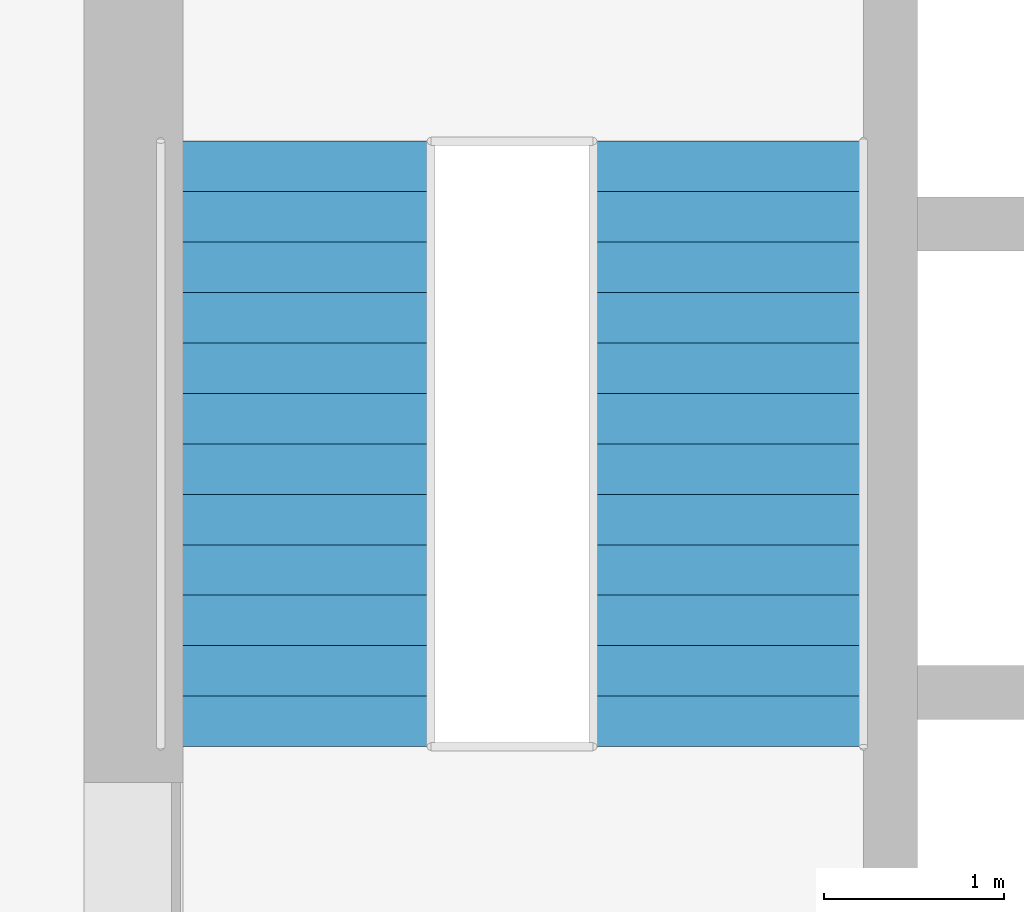
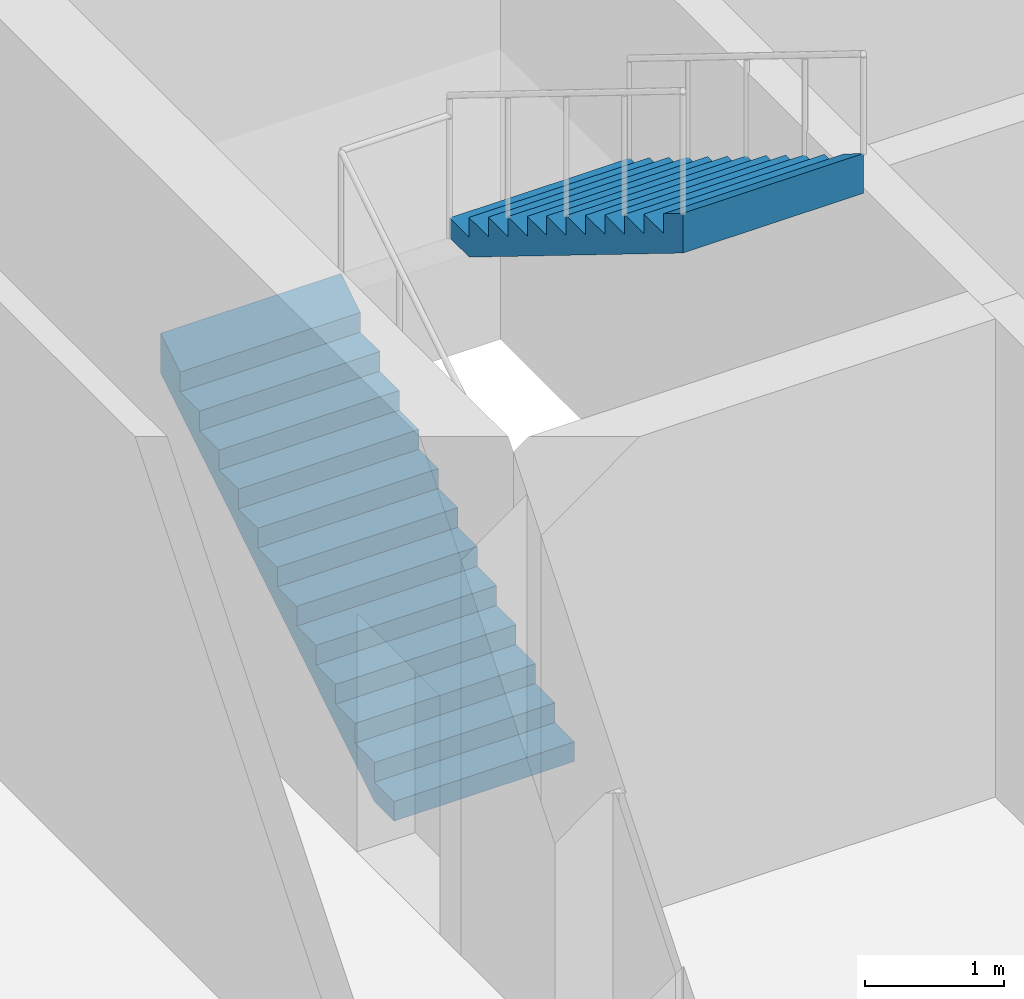
# One storey, part 10 of 13: 2 stair flights, 1 element without a shape of its own.
"""IFC4 building model written with IfcOpenShell, lengths in metres."""

import ifcopenshell
import ifcopenshell.guid

model = None  # the IFC model being written
_history = None  # IfcOwnerHistory: only IFC2X3 demands one
_inside = {}  # id of a spatial element -> (the spatial element, [elements in it])
_under = {}  # id of a project, library or spatial element -> (it, [spatial elements below it])
_declared = {}  # id of a project -> (the project, [libraries it declares])
_typed = {}  # id of a type object -> (the type object, [elements of that type])
_made_of = {}  # id of a material, layer set ... -> (it, [elements and type objects made of it])


def new_model(schema):
    """Start an empty IFC model of exactly this schema.

    Asked for "IFC4X3", IfcOpenShell would pick the latest addendum, in which some entities
    have other attributes; the version numbers below select the first issue.
    IFC2X3 requires an IfcOwnerHistory on every rooted entity: one is made here for all.
    """
    global model, _history
    if schema == "IFC4X3":
        model = ifcopenshell.file(schema_version=(4, 3, 0, 0))
    else:
        model = ifcopenshell.file(schema=schema)
    _inside.clear()
    _under.clear()
    _declared.clear()
    _typed.clear()
    _made_of.clear()
    _history = None
    if model.schema == "IFC2X3":
        org = make("IfcOrganization", Name="unknown")
        user = make(
            "IfcPersonAndOrganization",
            ThePerson=make("IfcPerson", FamilyName="unknown"),
            TheOrganization=org,
        )
        app = make(
            "IfcApplication",
            ApplicationDeveloper=org,
            Version="unknown",
            ApplicationFullName="unknown",
            ApplicationIdentifier="unknown",
        )
        _history = make(
            "IfcOwnerHistory",
            OwningUser=user,
            OwningApplication=app,
            ChangeAction="ADDED",
            CreationDate=0,
        )
    return model


def make(cls, **values):
    """One entity of the class cls with the attributes given. An attribute that is None is left unset."""
    return model.create_entity(
        cls, **{name: value for name, value in values.items() if value is not None}
    )


def rooted(cls, **values):
    """An entity with a GlobalId (a new one), such as an element, a storey or a relation."""
    return make(cls, GlobalId=ifcopenshell.guid.new(), OwnerHistory=_history, **values)


def si_unit(unit_type, name, prefix=None):
    """IfcSIUnit, for example si_unit("LENGTHUNIT", "METRE", prefix="MILLI")."""
    return make("IfcSIUnit", UnitType=unit_type, Prefix=prefix, Name=name)


def assignment(units):
    """IfcUnitAssignment: the units of a project."""
    return None if units is None else make("IfcUnitAssignment", Units=units)


def point(xyz):
    """IfcCartesianPoint."""
    return None if xyz is None else make("IfcCartesianPoint", Coordinates=xyz)


def direction(xyz):
    """IfcDirection."""
    return None if xyz is None else make("IfcDirection", DirectionRatios=xyz)


def frame(location, z_axis=None, x_axis=None):
    """IfcAxis2Placement3D, a coordinate frame: its origin and axes. An axis left out is left unset."""
    return make(
        "IfcAxis2Placement3D",
        Location=point(location),
        Axis=direction(z_axis),
        RefDirection=direction(x_axis),
    )


def origin():
    """The frame at (0, 0, 0) with its axes left unset."""
    return frame((0.0, 0.0, 0.0))


def place(relative_to, where):
    """IfcLocalPlacement: puts the frame where relative to a parent placement (None: the world)."""
    return make(
        "IfcLocalPlacement", PlacementRelTo=relative_to, RelativePlacement=where
    )


def context(
    kind, dimensions, precision=None, world=None, true_north=None, identifier=None
):
    """IfcGeometricRepresentationContext, for example the 3D "Model" context."""
    return make(
        "IfcGeometricRepresentationContext",
        ContextIdentifier=identifier,
        ContextType=kind,
        CoordinateSpaceDimension=dimensions,
        Precision=precision,
        WorldCoordinateSystem=world,
        TrueNorth=true_north,
    )


def subcontext(parent, identifier, kind, view, scale=None):
    """IfcGeometricRepresentationSubContext, for example "Body" below "Model"."""
    return make(
        "IfcGeometricRepresentationSubContext",
        ContextIdentifier=identifier,
        ContextType=kind,
        ParentContext=parent,
        TargetScale=scale,
        TargetView=view,
    )


def project(units=None, contexts=None):
    """IfcProject with its units and contexts."""
    return rooted(
        "IfcProject",
        Name="project",
        RepresentationContexts=contexts,
        UnitsInContext=assignment(units),
    )


def spatial(cls, under=None, at=None, **own):
    """A site, building, storey or space (cls), placed at a placement, below another one or the project."""
    s = rooted(cls, ObjectPlacement=at, **own)
    if under is not None:
        _under.setdefault(under.id(), (under, []))[1].append(s)
    return s


def point_list(points):
    """IfcCartesianPointList2D or 3D."""
    cls = (
        "IfcCartesianPointList2D" if len(points[0]) == 2 else "IfcCartesianPointList3D"
    )
    return make(cls, CoordList=points)


def triangles(points, corners, closed=None, point_numbers=None):
    """IfcTriangulatedFaceSet: each triangle names its three corners, points numbered from 1."""
    return make(
        "IfcTriangulatedFaceSet",
        Coordinates=point_list(points),
        Closed=closed,
        CoordIndex=corners,
        PnIndex=point_numbers,
    )


def shape(context_of_items, identifier, shape_type, items):
    """IfcShapeRepresentation: the items that make up one representation, for example the "Body"."""
    return make(
        "IfcShapeRepresentation",
        ContextOfItems=context_of_items,
        RepresentationIdentifier=identifier,
        RepresentationType=shape_type,
        Items=items,
    )


def material(Name=None, Category=None):
    """IfcMaterial."""
    return make("IfcMaterial", Name=Name, Category=Category)


def made_of(thing, what):
    """Note that an element or type object is made of a material, layer set ...; save() writes the relation."""
    if what is not None:
        _made_of.setdefault(what.id(), (what, []))[1].append(thing)
    return thing


def type_object(cls, material=None, **own):
    """A type object (cls), such as IfcWallType, which elements share."""
    return made_of(rooted(cls, **own), material)


def element(
    cls,
    number,
    at=None,
    inside=None,
    cuts=None,
    type_object=None,
    material=None,
    context=None,
    identifier="Body",
    shape_type=None,
    held_by="IfcProductDefinitionShape",
    body=None,
    shapes=None,
    **own,
):
    """One element of the class cls, such as IfcWall. Its Tag is "e" and its number.

    at: its placement. inside: the storey or other place that contains it. cuts: it is an
    opening in that element (IfcRelVoidsElement). A single representation is given by context,
    identifier, shape_type and body (its items); several are given by shapes. held_by: the class
    of the entity that holds the representations. save() writes the other relations.
    """
    e = rooted(cls, Tag="e%d" % number, ObjectPlacement=at, **own)
    if body is not None:
        shapes = [shape(context, identifier, shape_type, body)]
    if shapes is not None:
        e.Representation = make(held_by, Representations=shapes)
    if inside is not None:
        _inside.setdefault(inside.id(), (inside, []))[1].append(e)
    if cuts is not None:
        rooted(
            "IfcRelVoidsElement", RelatingBuildingElement=cuts, RelatedOpeningElement=e
        )
    if type_object is not None:
        _typed.setdefault(type_object.id(), (type_object, []))[1].append(e)
    return made_of(e, material)


def aggregate(whole, parts):
    """IfcRelAggregates: a whole, such as a stair, and the parts it consists of."""
    return rooted("IfcRelAggregates", RelatingObject=whole, RelatedObjects=parts)


def save(model, path):
    """Write the relations noted so far, then the file.

    IfcRelAggregates (storeys below a building ...), IfcRelContainedInSpatialStructure (elements
    in a storey), IfcRelDefinesByType, IfcRelAssociatesMaterial and IfcRelDeclares: one each for
    every whole, place, type object, material and project.
    """
    for whole, parts in _under.values():
        aggregate(whole, parts)
    for where, things in _inside.values():
        rooted(
            "IfcRelContainedInSpatialStructure",
            RelatedElements=things,
            RelatingStructure=where,
        )
    for kind, things in _typed.values():
        rooted("IfcRelDefinesByType", RelatedObjects=things, RelatingType=kind)
    for what, things in _made_of.values():
        rooted("IfcRelAssociatesMaterial", RelatedObjects=things, RelatingMaterial=what)
    for by, libraries in _declared.values():
        rooted("IfcRelDeclares", RelatingContext=by, RelatedDefinitions=libraries)
    model.write(path)


model = new_model("IFC4")

# Units and contexts
model_context = context("Model", 3, precision=1e-05, world=origin(), true_north=direction((0.0, 1.0)))
body_context = subcontext(model_context, "Body", "Model", "MODEL_VIEW")
ifc_project = project(units=[si_unit("LENGTHUNIT", "METRE"), si_unit("AREAUNIT", "SQUARE_METRE"), si_unit("VOLUMEUNIT", "CUBIC_METRE"), si_unit("PLANEANGLEUNIT", "RADIAN"), si_unit("MASSUNIT", "GRAM", prefix="KILO")], contexts=[model_context])

# Site, building, storey
site_placement = place(None, origin())
site = spatial("IfcSite", under=ifc_project, at=site_placement, CompositionType="ELEMENT")
building_placement = place(site_placement, origin())
building = spatial("IfcBuilding", under=site, at=building_placement, Name="Ludao Terraces", CompositionType="ELEMENT")
storey_placement = place(building_placement, frame((0.0, 0.0, 192.800048828125)))
storey = spatial("IfcBuildingStorey", under=building, at=storey_placement, Name="L52", CompositionType="ELEMENT", Elevation=192.800048828125)

# Stair, stair flights
ifc_material = material(Name="Concrete C40", Category="concrete")
stair_type = type_object("IfcStairType", Name="INT Stair", PredefinedType="HALF_TURN_STAIR", material=ifc_material)
stair_placement = place(storey_placement, origin())
stair = element("IfcStair", 1, at=stair_placement, inside=storey, type_object=stair_type, Name="EXIT STAIR 1", PredefinedType="HALF_TURN_STAIR")
stair_flight_type = type_object("IfcStairFlightType", Name="INT Stair flight", PredefinedType="STRAIGHT", material=ifc_material)
stair_flight_1_placement = place(storey_placement, frame((76.14990234375, 79.0, 0.0), z_axis=(0.0, 0.0, 1.0), x_axis=(0.0, 1.0, 0.0)))
stair_flight_1 = element("IfcStairFlight", 2, at=stair_flight_1_placement, type_object=stair_flight_type, Name="ST1 flight 1", NumberOfRisers=13, NumberOfTreads=12, PredefinedType="STRAIGHT", RiserHeight=0.173077, TreadLength=0.28, context=body_context, shape_type="Tessellation", body=[
    triangles([(0.0, -0.75, 0.0), (0.0, -0.5, 0.0), (0.0, -0.25, 0.0), (0.0, 0.0, 0.0), (0.0, 0.25, 0.0), (0.0, 0.5, 0.0), (0.0, 0.75, 0.0), (0.0, -0.75, 0.173095703125), (0.0, -0.5, 0.173095703125), (0.0, -0.25, 0.173095703125), (0.0, 0.0, 0.173095703125), (0.0, 0.25, 0.173095703125), (0.0, 0.5, 0.173095703125), (0.0, 0.75, 0.173095703125), (0.280029296875, -0.75, 0.173095703125), (0.280029296875, -0.5, 0.173095703125), (0.280029296875, -0.25, 0.173095703125), (0.280029296875, 0.0, 0.173095703125), (0.280029296875, 0.25, 0.173095703125), (0.280029296875, 0.5, 0.173095703125), (0.280029296875, 0.75, 0.173095703125), (0.280029296875, -0.75, 0.34619140625), (0.280029296875, -0.5, 0.34619140625), (0.280029296875, -0.25, 0.34619140625), (0.280029296875, 0.0, 0.34619140625), (0.280029296875, 0.25, 0.34619140625), (0.280029296875, 0.5, 0.34619140625), (0.280029296875, 0.75, 0.34619140625), (0.56005859375, -0.75, 0.34619140625), (0.56005859375, -0.5, 0.34619140625), (0.56005859375, -0.25, 0.34619140625), (0.56005859375, 0.0, 0.34619140625), (0.56005859375, 0.25, 0.34619140625), (0.56005859375, 0.5, 0.34619140625), (0.56005859375, 0.75, 0.34619140625), (0.56005859375, -0.75, 0.519287109375), (0.56005859375, -0.5, 0.519287109375), (0.56005859375, -0.25, 0.519287109375), (0.56005859375, 0.0, 0.519287109375), (0.56005859375, 0.25, 0.519287109375), (0.56005859375, 0.5, 0.519287109375), (0.56005859375, 0.75, 0.519287109375), (0.840087890625, -0.75, 0.519287109375), (0.840087890625, -0.5, 0.519287109375), (0.840087890625, -0.25, 0.519287109375), (0.840087890625, 0.0, 0.519287109375), (0.840087890625, 0.25, 0.519287109375), (0.840087890625, 0.5, 0.519287109375), (0.840087890625, 0.75, 0.519287109375), (0.840087890625, -0.75, 0.6923828125), (0.840087890625, -0.5, 0.6923828125), (0.840087890625, -0.25, 0.6923828125), (0.840087890625, 0.0, 0.6923828125), (0.840087890625, 0.25, 0.6923828125), (0.840087890625, 0.5, 0.6923828125), (0.840087890625, 0.75, 0.6923828125), (1.1201171875, -0.75, 0.6923828125), (1.1201171875, -0.5, 0.6923828125), (1.1201171875, -0.25, 0.6923828125), (1.1201171875, 0.0, 0.6923828125), (1.1201171875, 0.25, 0.6923828125), (1.1201171875, 0.5, 0.6923828125), (1.1201171875, 0.75, 0.6923828125), (1.1201171875, -0.75, 0.865478515625), (1.1201171875, -0.5, 0.865478515625), (1.1201171875, -0.25, 0.865478515625), (1.1201171875, 0.0, 0.865478515625), (1.1201171875, 0.25, 0.865478515625), (1.1201171875, 0.5, 0.865478515625), (1.1201171875, 0.75, 0.865478515625), (1.39990234375, -0.75, 0.865478515625), (1.39990234375, -0.5, 0.865478515625), (1.39990234375, -0.25, 0.865478515625), (1.39990234375, 0.0, 0.865478515625), (1.39990234375, 0.25, 0.865478515625), (1.39990234375, 0.5, 0.865478515625), (1.39990234375, 0.75, 0.865478515625), (1.39990234375, -0.75, 1.03857421875), (1.39990234375, -0.5, 1.03857421875), (1.39990234375, -0.25, 1.03857421875), (1.39990234375, 0.0, 1.03857421875), (1.39990234375, 0.25, 1.03857421875), (1.39990234375, 0.5, 1.03857421875), (1.39990234375, 0.75, 1.03857421875), (1.679931640625, -0.75, 1.03857421875), (1.679931640625, -0.5, 1.03857421875), (1.679931640625, -0.25, 1.03857421875), (1.679931640625, 0.0, 1.03857421875), (1.679931640625, 0.25, 1.03857421875), (1.679931640625, 0.5, 1.03857421875), (1.679931640625, 0.75, 1.03857421875), (1.679931640625, -0.75, 1.21142578125), (1.679931640625, -0.5, 1.21142578125), (1.679931640625, -0.25, 1.21142578125), (1.679931640625, 0.0, 1.21142578125), (1.679931640625, 0.25, 1.21142578125), (1.679931640625, 0.5, 1.21142578125), (1.679931640625, 0.75, 1.21142578125), (1.9599609375, -0.75, 1.21142578125), (1.9599609375, -0.5, 1.21142578125), (1.9599609375, -0.25, 1.21142578125), (1.9599609375, 0.0, 1.21142578125), (1.9599609375, 0.25, 1.21142578125), (1.9599609375, 0.5, 1.21142578125), (1.9599609375, 0.75, 1.21142578125), (1.9599609375, -0.75, 1.384521484375), (1.9599609375, -0.5, 1.384521484375), (1.9599609375, -0.25, 1.384521484375), (1.9599609375, 0.0, 1.384521484375), (1.9599609375, 0.25, 1.384521484375), (1.9599609375, 0.5, 1.384521484375), (1.9599609375, 0.75, 1.384521484375), (2.239990234375, -0.75, 1.384521484375), (2.239990234375, -0.5, 1.384521484375), (2.239990234375, -0.25, 1.384521484375), (2.239990234375, 0.0, 1.384521484375), (2.239990234375, 0.25, 1.384521484375), (2.239990234375, 0.5, 1.384521484375), (2.239990234375, 0.75, 1.384521484375), (2.239990234375, -0.75, 1.5576171875), (2.239990234375, -0.5, 1.5576171875), (2.239990234375, -0.25, 1.5576171875), (2.239990234375, 0.0, 1.5576171875), (2.239990234375, 0.25, 1.5576171875), (2.239990234375, 0.5, 1.5576171875), (2.239990234375, 0.75, 1.5576171875), (2.52001953125, -0.75, 1.5576171875), (2.52001953125, -0.5, 1.5576171875), (2.52001953125, -0.25, 1.5576171875), (2.52001953125, 0.0, 1.5576171875), (2.52001953125, 0.25, 1.5576171875), (2.52001953125, 0.5, 1.5576171875), (2.52001953125, 0.75, 1.5576171875), (2.52001953125, -0.75, 1.730712890625), (2.52001953125, -0.5, 1.730712890625), (2.52001953125, -0.25, 1.730712890625), (2.52001953125, 0.0, 1.730712890625), (2.52001953125, 0.25, 1.730712890625), (2.52001953125, 0.5, 1.730712890625), (2.52001953125, 0.75, 1.730712890625), (2.800048828125, -0.75, 1.730712890625), (2.800048828125, -0.5, 1.730712890625), (2.800048828125, -0.25, 1.730712890625), (2.800048828125, 0.0, 1.730712890625), (2.800048828125, 0.25, 1.730712890625), (2.800048828125, 0.5, 1.730712890625), (2.800048828125, 0.75, 1.730712890625), (2.800048828125, -0.75, 1.90380859375), (2.800048828125, -0.5, 1.90380859375), (2.800048828125, -0.25, 1.90380859375), (2.800048828125, 0.0, 1.90380859375), (2.800048828125, 0.25, 1.90380859375), (2.800048828125, 0.5, 1.90380859375), (2.800048828125, 0.75, 1.90380859375), (3.080078125, -0.75, 1.90380859375), (3.080078125, -0.5, 1.90380859375), (3.080078125, -0.25, 1.90380859375), (3.080078125, 0.0, 1.90380859375), (3.080078125, 0.25, 1.90380859375), (3.080078125, 0.5, 1.90380859375), (3.080078125, 0.75, 1.90380859375), (3.080078125, -0.75, 2.076904296875), (3.080078125, -0.5, 2.076904296875), (3.080078125, -0.25, 2.076904296875), (3.080078125, 0.0, 2.076904296875), (3.080078125, 0.25, 2.076904296875), (3.080078125, 0.5, 2.076904296875), (3.080078125, 0.75, 2.076904296875), (3.360107421875, -0.75, 2.25), (3.360107421875, -0.5, 2.25), (3.360107421875, -0.25, 2.25), (3.360107421875, 0.0, 2.25), (3.360107421875, 0.25, 2.25), (3.360107421875, 0.5, 2.25), (3.360107421875, 0.75, 2.25), (3.360107421875, -0.75, 1.900634765625), (3.360107421875, -0.5, 1.900634765625), (3.360107421875, -0.25, 1.900634765625), (3.360107421875, 0.0, 1.900634765625), (3.360107421875, 0.25, 1.900634765625), (3.360107421875, 0.5, 1.900634765625), (3.360107421875, 0.75, 1.900634765625), (0.28515625, -0.75, 0.0), (0.28515625, -0.5, 0.0), (0.28515625, -0.25, 0.0), (0.28515625, 0.0, 0.0), (0.28515625, 0.25, 0.0), (0.28515625, 0.5, 0.0), (0.28515625, 0.75, 0.0)], [[1, 183, 176], [7, 182, 189], [176, 169, 162], [182, 168, 175], [176, 162, 155], [182, 161, 168], [176, 155, 148], [182, 154, 161], [176, 148, 141], [182, 147, 154], [141, 134, 127], [147, 133, 140], [176, 141, 127], [182, 133, 147], [127, 120, 113], [133, 119, 126], [176, 127, 113], [182, 119, 133], [113, 106, 99], [119, 105, 112], [176, 113, 99], [182, 105, 119], [1, 176, 99], [7, 105, 182], [99, 92, 85], [105, 91, 98], [85, 78, 71], [91, 77, 84], [99, 85, 71], [105, 77, 91], [71, 64, 57], [77, 63, 70], [99, 71, 57], [105, 63, 77], [57, 50, 43], [63, 49, 56], [99, 57, 43], [105, 49, 63], [43, 36, 29], [49, 35, 42], [99, 43, 29], [105, 35, 49], [29, 22, 15], [35, 21, 28], [99, 29, 15], [105, 21, 35], [1, 99, 15], [7, 21, 105], [15, 8, 1], [21, 7, 14], [1, 9, 2], [1, 8, 9], [2, 10, 3], [2, 9, 10], [3, 11, 4], [3, 10, 11], [4, 12, 5], [4, 11, 12], [5, 13, 6], [5, 12, 13], [6, 14, 7], [6, 13, 14], [8, 16, 9], [8, 15, 16], [9, 17, 10], [9, 16, 17], [10, 18, 11], [10, 17, 18], [11, 19, 12], [11, 18, 19], [12, 20, 13], [12, 19, 20], [13, 21, 14], [13, 20, 21], [15, 23, 16], [15, 22, 23], [16, 24, 17], [16, 23, 24], [17, 25, 18], [17, 24, 25], [18, 26, 19], [18, 25, 26], [19, 27, 20], [19, 26, 27], [20, 28, 21], [20, 27, 28], [22, 30, 23], [22, 29, 30], [23, 31, 24], [23, 30, 31], [24, 32, 25], [24, 31, 32], [25, 33, 26], [25, 32, 33], [26, 34, 27], [26, 33, 34], [27, 35, 28], [27, 34, 35], [29, 37, 30], [29, 36, 37], [30, 38, 31], [30, 37, 38], [31, 39, 32], [31, 38, 39], [32, 40, 33], [32, 39, 40], [33, 41, 34], [33, 40, 41], [34, 42, 35], [34, 41, 42], [36, 44, 37], [36, 43, 44], [37, 45, 38], [37, 44, 45], [38, 46, 39], [38, 45, 46], [39, 47, 40], [39, 46, 47], [40, 48, 41], [40, 47, 48], [41, 49, 42], [41, 48, 49], [43, 51, 44], [43, 50, 51], [44, 52, 45], [44, 51, 52], [45, 53, 46], [45, 52, 53], [46, 54, 47], [46, 53, 54], [47, 55, 48], [47, 54, 55], [48, 56, 49], [48, 55, 56], [50, 58, 51], [50, 57, 58], [51, 59, 52], [51, 58, 59], [52, 60, 53], [52, 59, 60], [53, 61, 54], [53, 60, 61], [54, 62, 55], [54, 61, 62], [55, 63, 56], [55, 62, 63], [57, 65, 58], [57, 64, 65], [58, 66, 59], [58, 65, 66], [59, 67, 60], [59, 66, 67], [60, 68, 61], [60, 67, 68], [61, 69, 62], [61, 68, 69], [62, 70, 63], [62, 69, 70], [64, 72, 65], [64, 71, 72], [65, 73, 66], [65, 72, 73], [66, 74, 67], [66, 73, 74], [67, 75, 68], [67, 74, 75], [68, 76, 69], [68, 75, 76], [69, 77, 70], [69, 76, 77], [71, 79, 72], [71, 78, 79], [72, 80, 73], [72, 79, 80], [73, 81, 74], [73, 80, 81], [74, 82, 75], [74, 81, 82], [75, 83, 76], [75, 82, 83], [76, 84, 77], [76, 83, 84], [78, 86, 79], [78, 85, 86], [79, 87, 80], [79, 86, 87], [80, 88, 81], [80, 87, 88], [81, 89, 82], [81, 88, 89], [82, 90, 83], [82, 89, 90], [83, 91, 84], [83, 90, 91], [85, 93, 86], [85, 92, 93], [86, 94, 87], [86, 93, 94], [87, 95, 88], [87, 94, 95], [88, 96, 89], [88, 95, 96], [89, 97, 90], [89, 96, 97], [90, 98, 91], [90, 97, 98], [92, 100, 93], [92, 99, 100], [93, 101, 94], [93, 100, 101], [94, 102, 95], [94, 101, 102], [95, 103, 96], [95, 102, 103], [96, 104, 97], [96, 103, 104], [97, 105, 98], [97, 104, 105], [99, 107, 100], [99, 106, 107], [100, 108, 101], [100, 107, 108], [101, 109, 102], [101, 108, 109], [102, 110, 103], [102, 109, 110], [103, 111, 104], [103, 110, 111], [104, 112, 105], [104, 111, 112], [106, 114, 107], [106, 113, 114], [107, 115, 108], [107, 114, 115], [108, 116, 109], [108, 115, 116], [109, 117, 110], [109, 116, 117], [110, 118, 111], [110, 117, 118], [111, 119, 112], [111, 118, 119], [113, 121, 114], [113, 120, 121], [114, 122, 115], [114, 121, 122], [115, 123, 116], [115, 122, 123], [116, 124, 117], [116, 123, 124], [117, 125, 118], [117, 124, 125], [118, 126, 119], [118, 125, 126], [120, 128, 121], [120, 127, 128], [121, 129, 122], [121, 128, 129], [122, 130, 123], [122, 129, 130], [123, 131, 124], [123, 130, 131], [124, 132, 125], [124, 131, 132], [125, 133, 126], [125, 132, 133], [127, 135, 128], [127, 134, 135], [128, 136, 129], [128, 135, 136], [129, 137, 130], [129, 136, 137], [130, 138, 131], [130, 137, 138], [131, 139, 132], [131, 138, 139], [132, 140, 133], [132, 139, 140], [134, 142, 135], [134, 141, 142], [135, 143, 136], [135, 142, 143], [136, 144, 137], [136, 143, 144], [137, 145, 138], [137, 144, 145], [138, 146, 139], [138, 145, 146], [139, 147, 140], [139, 146, 147], [141, 149, 142], [141, 148, 149], [142, 150, 143], [142, 149, 150], [143, 151, 144], [143, 150, 151], [144, 152, 145], [144, 151, 152], [145, 153, 146], [145, 152, 153], [146, 154, 147], [146, 153, 154], [148, 156, 149], [148, 155, 156], [149, 157, 150], [149, 156, 157], [150, 158, 151], [150, 157, 158], [151, 159, 152], [151, 158, 159], [152, 160, 153], [152, 159, 160], [153, 161, 154], [153, 160, 161], [155, 163, 156], [155, 162, 163], [156, 164, 157], [156, 163, 164], [157, 165, 158], [157, 164, 165], [158, 166, 159], [158, 165, 166], [159, 167, 160], [159, 166, 167], [160, 168, 161], [160, 167, 168], [162, 170, 163], [162, 169, 170], [163, 171, 164], [163, 170, 171], [164, 172, 165], [164, 171, 172], [165, 173, 166], [165, 172, 173], [166, 174, 167], [166, 173, 174], [167, 175, 168], [167, 174, 175], [169, 177, 170], [169, 176, 177], [170, 178, 171], [170, 177, 178], [171, 179, 172], [171, 178, 179], [172, 180, 173], [172, 179, 180], [173, 181, 174], [173, 180, 181], [174, 182, 175], [174, 181, 182], [176, 184, 177], [176, 183, 184], [177, 185, 178], [177, 184, 185], [178, 186, 179], [178, 185, 186], [179, 187, 180], [179, 186, 187], [180, 188, 181], [180, 187, 188], [181, 189, 182], [181, 188, 189], [183, 2, 184], [183, 1, 2], [184, 3, 185], [184, 2, 3], [185, 4, 186], [185, 3, 4], [186, 5, 187], [186, 4, 5], [187, 6, 188], [187, 5, 6], [188, 7, 189], [188, 6, 7]], closed=True),
])
stair_flight_2_placement = place(storey_placement, frame((78.550048828125, 82.360107421875, 2.25), z_axis=(0.0, 0.0, 1.0), x_axis=(0.0, -1.0, 0.0)))
stair_flight_2 = element("IfcStairFlight", 3, at=stair_flight_2_placement, type_object=stair_flight_type, Name="ST1 flight 2", NumberOfRisers=13, NumberOfTreads=12, PredefinedType="STRAIGHT", RiserHeight=0.173077, TreadLength=0.28, context=body_context, shape_type="Tessellation", body=[
    triangles([(0.0, -0.75, 0.0), (0.0, -0.5, 0.0), (0.0, -0.25, 0.0), (0.0, 0.0, 0.0), (0.0, 0.25, 0.0), (0.0, 0.5, 0.0), (0.0, 0.75, 0.0), (0.0, -0.75, 0.173095703125), (0.0, -0.5, 0.173095703125), (0.0, -0.25, 0.173095703125), (0.0, 0.0, 0.173095703125), (0.0, 0.25, 0.173095703125), (0.0, 0.5, 0.173095703125), (0.0, 0.75, 0.173095703125), (0.280029296875, -0.75, 0.173095703125), (0.280029296875, -0.5, 0.173095703125), (0.280029296875, -0.25, 0.173095703125), (0.280029296875, 0.0, 0.173095703125), (0.280029296875, 0.25, 0.173095703125), (0.280029296875, 0.5, 0.173095703125), (0.280029296875, 0.75, 0.173095703125), (0.280029296875, -0.75, 0.34619140625), (0.280029296875, -0.5, 0.34619140625), (0.280029296875, -0.25, 0.34619140625), (0.280029296875, 0.0, 0.34619140625), (0.280029296875, 0.25, 0.34619140625), (0.280029296875, 0.5, 0.34619140625), (0.280029296875, 0.75, 0.34619140625), (0.56005859375, -0.75, 0.34619140625), (0.56005859375, -0.5, 0.34619140625), (0.56005859375, -0.25, 0.34619140625), (0.56005859375, 0.0, 0.34619140625), (0.56005859375, 0.25, 0.34619140625), (0.56005859375, 0.5, 0.34619140625), (0.56005859375, 0.75, 0.34619140625), (0.56005859375, -0.75, 0.519287109375), (0.56005859375, -0.5, 0.519287109375), (0.56005859375, -0.25, 0.519287109375), (0.56005859375, 0.0, 0.519287109375), (0.56005859375, 0.25, 0.519287109375), (0.56005859375, 0.5, 0.519287109375), (0.56005859375, 0.75, 0.519287109375), (0.840087890625, -0.75, 0.519287109375), (0.840087890625, -0.5, 0.519287109375), (0.840087890625, -0.25, 0.519287109375), (0.840087890625, 0.0, 0.519287109375), (0.840087890625, 0.25, 0.519287109375), (0.840087890625, 0.5, 0.519287109375), (0.840087890625, 0.75, 0.519287109375), (0.840087890625, -0.75, 0.6923828125), (0.840087890625, -0.5, 0.6923828125), (0.840087890625, -0.25, 0.6923828125), (0.840087890625, 0.0, 0.6923828125), (0.840087890625, 0.25, 0.6923828125), (0.840087890625, 0.5, 0.6923828125), (0.840087890625, 0.75, 0.6923828125), (1.1201171875, -0.75, 0.6923828125), (1.1201171875, -0.5, 0.6923828125), (1.1201171875, -0.25, 0.6923828125), (1.1201171875, 0.0, 0.6923828125), (1.1201171875, 0.25, 0.6923828125), (1.1201171875, 0.5, 0.6923828125), (1.1201171875, 0.75, 0.6923828125), (1.1201171875, -0.75, 0.865478515625), (1.1201171875, -0.5, 0.865478515625), (1.1201171875, -0.25, 0.865478515625), (1.1201171875, 0.0, 0.865478515625), (1.1201171875, 0.25, 0.865478515625), (1.1201171875, 0.5, 0.865478515625), (1.1201171875, 0.75, 0.865478515625), (1.39990234375, -0.75, 0.865478515625), (1.39990234375, -0.5, 0.865478515625), (1.39990234375, -0.25, 0.865478515625), (1.39990234375, 0.0, 0.865478515625), (1.39990234375, 0.25, 0.865478515625), (1.39990234375, 0.5, 0.865478515625), (1.39990234375, 0.75, 0.865478515625), (1.39990234375, -0.75, 1.03857421875), (1.39990234375, -0.5, 1.03857421875), (1.39990234375, -0.25, 1.03857421875), (1.39990234375, 0.0, 1.03857421875), (1.39990234375, 0.25, 1.03857421875), (1.39990234375, 0.5, 1.03857421875), (1.39990234375, 0.75, 1.03857421875), (1.679931640625, -0.75, 1.03857421875), (1.679931640625, -0.5, 1.03857421875), (1.679931640625, -0.25, 1.03857421875), (1.679931640625, 0.0, 1.03857421875), (1.679931640625, 0.25, 1.03857421875), (1.679931640625, 0.5, 1.03857421875), (1.679931640625, 0.75, 1.03857421875), (1.679931640625, -0.75, 1.21142578125), (1.679931640625, -0.5, 1.21142578125), (1.679931640625, -0.25, 1.21142578125), (1.679931640625, 0.0, 1.21142578125), (1.679931640625, 0.25, 1.21142578125), (1.679931640625, 0.5, 1.21142578125), (1.679931640625, 0.75, 1.21142578125), (1.9599609375, -0.75, 1.21142578125), (1.9599609375, -0.5, 1.21142578125), (1.9599609375, -0.25, 1.21142578125), (1.9599609375, 0.0, 1.21142578125), (1.9599609375, 0.25, 1.21142578125), (1.9599609375, 0.5, 1.21142578125), (1.9599609375, 0.75, 1.21142578125), (1.9599609375, -0.75, 1.384521484375), (1.9599609375, -0.5, 1.384521484375), (1.9599609375, -0.25, 1.384521484375), (1.9599609375, 0.0, 1.384521484375), (1.9599609375, 0.25, 1.384521484375), (1.9599609375, 0.5, 1.384521484375), (1.9599609375, 0.75, 1.384521484375), (2.239990234375, -0.75, 1.384521484375), (2.239990234375, -0.5, 1.384521484375), (2.239990234375, -0.25, 1.384521484375), (2.239990234375, 0.0, 1.384521484375), (2.239990234375, 0.25, 1.384521484375), (2.239990234375, 0.5, 1.384521484375), (2.239990234375, 0.75, 1.384521484375), (2.239990234375, -0.75, 1.5576171875), (2.239990234375, -0.5, 1.5576171875), (2.239990234375, -0.25, 1.5576171875), (2.239990234375, 0.0, 1.5576171875), (2.239990234375, 0.25, 1.5576171875), (2.239990234375, 0.5, 1.5576171875), (2.239990234375, 0.75, 1.5576171875), (2.52001953125, -0.75, 1.5576171875), (2.52001953125, -0.5, 1.5576171875), (2.52001953125, -0.25, 1.5576171875), (2.52001953125, 0.0, 1.5576171875), (2.52001953125, 0.25, 1.5576171875), (2.52001953125, 0.5, 1.5576171875), (2.52001953125, 0.75, 1.5576171875), (2.52001953125, -0.75, 1.730712890625), (2.52001953125, -0.5, 1.730712890625), (2.52001953125, -0.25, 1.730712890625), (2.52001953125, 0.0, 1.730712890625), (2.52001953125, 0.25, 1.730712890625), (2.52001953125, 0.5, 1.730712890625), (2.52001953125, 0.75, 1.730712890625), (2.800048828125, -0.75, 1.730712890625), (2.800048828125, -0.5, 1.730712890625), (2.800048828125, -0.25, 1.730712890625), (2.800048828125, 0.0, 1.730712890625), (2.800048828125, 0.25, 1.730712890625), (2.800048828125, 0.5, 1.730712890625), (2.800048828125, 0.75, 1.730712890625), (2.800048828125, -0.75, 1.90380859375), (2.800048828125, -0.5, 1.90380859375), (2.800048828125, -0.25, 1.90380859375), (2.800048828125, 0.0, 1.90380859375), (2.800048828125, 0.25, 1.90380859375), (2.800048828125, 0.5, 1.90380859375), (2.800048828125, 0.75, 1.90380859375), (3.080078125, -0.75, 1.90380859375), (3.080078125, -0.5, 1.90380859375), (3.080078125, -0.25, 1.90380859375), (3.080078125, 0.0, 1.90380859375), (3.080078125, 0.25, 1.90380859375), (3.080078125, 0.5, 1.90380859375), (3.080078125, 0.75, 1.90380859375), (3.080078125, -0.75, 2.076904296875), (3.080078125, -0.5, 2.076904296875), (3.080078125, -0.25, 2.076904296875), (3.080078125, 0.0, 2.076904296875), (3.080078125, 0.25, 2.076904296875), (3.080078125, 0.5, 2.076904296875), (3.080078125, 0.75, 2.076904296875), (3.360107421875, -0.75, 2.25), (3.360107421875, -0.5, 2.25), (3.360107421875, -0.25, 2.25), (3.360107421875, 0.0, 2.25), (3.360107421875, 0.25, 2.25), (3.360107421875, 0.5, 2.25), (3.360107421875, 0.75, 2.25), (3.360107421875, -0.75, 1.900634765625), (3.360107421875, -0.5, 1.900634765625), (3.360107421875, -0.25, 1.900634765625), (3.360107421875, 0.0, 1.900634765625), (3.360107421875, 0.25, 1.900634765625), (3.360107421875, 0.5, 1.900634765625), (3.360107421875, 0.75, 1.900634765625), (0.28515625, -0.75, 0.0), (0.28515625, -0.5, 0.0), (0.28515625, -0.25, 0.0), (0.28515625, 0.0, 0.0), (0.28515625, 0.25, 0.0), (0.28515625, 0.5, 0.0), (0.28515625, 0.75, 0.0)], [[1, 183, 176], [7, 182, 189], [176, 169, 162], [182, 168, 175], [176, 162, 155], [182, 161, 168], [176, 155, 148], [182, 154, 161], [176, 148, 141], [182, 147, 154], [141, 134, 127], [147, 133, 140], [176, 141, 127], [182, 133, 147], [127, 120, 113], [133, 119, 126], [176, 127, 113], [182, 119, 133], [113, 106, 99], [119, 105, 112], [176, 113, 99], [182, 105, 119], [1, 176, 99], [7, 105, 182], [99, 92, 85], [105, 91, 98], [85, 78, 71], [91, 77, 84], [99, 85, 71], [105, 77, 91], [71, 64, 57], [77, 63, 70], [99, 71, 57], [105, 63, 77], [57, 50, 43], [63, 49, 56], [99, 57, 43], [105, 49, 63], [43, 36, 29], [49, 35, 42], [99, 43, 29], [105, 35, 49], [29, 22, 15], [35, 21, 28], [99, 29, 15], [105, 21, 35], [1, 99, 15], [7, 21, 105], [15, 8, 1], [21, 7, 14], [1, 9, 2], [1, 8, 9], [2, 10, 3], [2, 9, 10], [3, 11, 4], [3, 10, 11], [4, 12, 5], [4, 11, 12], [5, 13, 6], [5, 12, 13], [6, 14, 7], [6, 13, 14], [8, 16, 9], [8, 15, 16], [9, 17, 10], [9, 16, 17], [10, 18, 11], [10, 17, 18], [11, 19, 12], [11, 18, 19], [12, 20, 13], [12, 19, 20], [13, 21, 14], [13, 20, 21], [15, 23, 16], [15, 22, 23], [16, 24, 17], [16, 23, 24], [17, 25, 18], [17, 24, 25], [18, 26, 19], [18, 25, 26], [19, 27, 20], [19, 26, 27], [20, 28, 21], [20, 27, 28], [22, 30, 23], [22, 29, 30], [23, 31, 24], [23, 30, 31], [24, 32, 25], [24, 31, 32], [25, 33, 26], [25, 32, 33], [26, 34, 27], [26, 33, 34], [27, 35, 28], [27, 34, 35], [29, 37, 30], [29, 36, 37], [30, 38, 31], [30, 37, 38], [31, 39, 32], [31, 38, 39], [32, 40, 33], [32, 39, 40], [33, 41, 34], [33, 40, 41], [34, 42, 35], [34, 41, 42], [36, 44, 37], [36, 43, 44], [37, 45, 38], [37, 44, 45], [38, 46, 39], [38, 45, 46], [39, 47, 40], [39, 46, 47], [40, 48, 41], [40, 47, 48], [41, 49, 42], [41, 48, 49], [43, 51, 44], [43, 50, 51], [44, 52, 45], [44, 51, 52], [45, 53, 46], [45, 52, 53], [46, 54, 47], [46, 53, 54], [47, 55, 48], [47, 54, 55], [48, 56, 49], [48, 55, 56], [50, 58, 51], [50, 57, 58], [51, 59, 52], [51, 58, 59], [52, 60, 53], [52, 59, 60], [53, 61, 54], [53, 60, 61], [54, 62, 55], [54, 61, 62], [55, 63, 56], [55, 62, 63], [57, 65, 58], [57, 64, 65], [58, 66, 59], [58, 65, 66], [59, 67, 60], [59, 66, 67], [60, 68, 61], [60, 67, 68], [61, 69, 62], [61, 68, 69], [62, 70, 63], [62, 69, 70], [64, 72, 65], [64, 71, 72], [65, 73, 66], [65, 72, 73], [66, 74, 67], [66, 73, 74], [67, 75, 68], [67, 74, 75], [68, 76, 69], [68, 75, 76], [69, 77, 70], [69, 76, 77], [71, 79, 72], [71, 78, 79], [72, 80, 73], [72, 79, 80], [73, 81, 74], [73, 80, 81], [74, 82, 75], [74, 81, 82], [75, 83, 76], [75, 82, 83], [76, 84, 77], [76, 83, 84], [78, 86, 79], [78, 85, 86], [79, 87, 80], [79, 86, 87], [80, 88, 81], [80, 87, 88], [81, 89, 82], [81, 88, 89], [82, 90, 83], [82, 89, 90], [83, 91, 84], [83, 90, 91], [85, 93, 86], [85, 92, 93], [86, 94, 87], [86, 93, 94], [87, 95, 88], [87, 94, 95], [88, 96, 89], [88, 95, 96], [89, 97, 90], [89, 96, 97], [90, 98, 91], [90, 97, 98], [92, 100, 93], [92, 99, 100], [93, 101, 94], [93, 100, 101], [94, 102, 95], [94, 101, 102], [95, 103, 96], [95, 102, 103], [96, 104, 97], [96, 103, 104], [97, 105, 98], [97, 104, 105], [99, 107, 100], [99, 106, 107], [100, 108, 101], [100, 107, 108], [101, 109, 102], [101, 108, 109], [102, 110, 103], [102, 109, 110], [103, 111, 104], [103, 110, 111], [104, 112, 105], [104, 111, 112], [106, 114, 107], [106, 113, 114], [107, 115, 108], [107, 114, 115], [108, 116, 109], [108, 115, 116], [109, 117, 110], [109, 116, 117], [110, 118, 111], [110, 117, 118], [111, 119, 112], [111, 118, 119], [113, 121, 114], [113, 120, 121], [114, 122, 115], [114, 121, 122], [115, 123, 116], [115, 122, 123], [116, 124, 117], [116, 123, 124], [117, 125, 118], [117, 124, 125], [118, 126, 119], [118, 125, 126], [120, 128, 121], [120, 127, 128], [121, 129, 122], [121, 128, 129], [122, 130, 123], [122, 129, 130], [123, 131, 124], [123, 130, 131], [124, 132, 125], [124, 131, 132], [125, 133, 126], [125, 132, 133], [127, 135, 128], [127, 134, 135], [128, 136, 129], [128, 135, 136], [129, 137, 130], [129, 136, 137], [130, 138, 131], [130, 137, 138], [131, 139, 132], [131, 138, 139], [132, 140, 133], [132, 139, 140], [134, 142, 135], [134, 141, 142], [135, 143, 136], [135, 142, 143], [136, 144, 137], [136, 143, 144], [137, 145, 138], [137, 144, 145], [138, 146, 139], [138, 145, 146], [139, 147, 140], [139, 146, 147], [141, 149, 142], [141, 148, 149], [142, 150, 143], [142, 149, 150], [143, 151, 144], [143, 150, 151], [144, 152, 145], [144, 151, 152], [145, 153, 146], [145, 152, 153], [146, 154, 147], [146, 153, 154], [148, 156, 149], [148, 155, 156], [149, 157, 150], [149, 156, 157], [150, 158, 151], [150, 157, 158], [151, 159, 152], [151, 158, 159], [152, 160, 153], [152, 159, 160], [153, 161, 154], [153, 160, 161], [155, 163, 156], [155, 162, 163], [156, 164, 157], [156, 163, 164], [157, 165, 158], [157, 164, 165], [158, 166, 159], [158, 165, 166], [159, 167, 160], [159, 166, 167], [160, 168, 161], [160, 167, 168], [162, 170, 163], [162, 169, 170], [163, 171, 164], [163, 170, 171], [164, 172, 165], [164, 171, 172], [165, 173, 166], [165, 172, 173], [166, 174, 167], [166, 173, 174], [167, 175, 168], [167, 174, 175], [169, 177, 170], [169, 176, 177], [170, 178, 171], [170, 177, 178], [171, 179, 172], [171, 178, 179], [172, 180, 173], [172, 179, 180], [173, 181, 174], [173, 180, 181], [174, 182, 175], [174, 181, 182], [176, 184, 177], [176, 183, 184], [177, 185, 178], [177, 184, 185], [178, 186, 179], [178, 185, 186], [179, 187, 180], [179, 186, 187], [180, 188, 181], [180, 187, 188], [181, 189, 182], [181, 188, 189], [183, 2, 184], [183, 1, 2], [184, 3, 185], [184, 2, 3], [185, 4, 186], [185, 3, 4], [186, 5, 187], [186, 4, 5], [187, 6, 188], [187, 5, 6], [188, 7, 189], [188, 6, 7]], closed=True),
])
aggregate(stair, [stair_flight_1, stair_flight_2])

save(model, "model.ifc")
